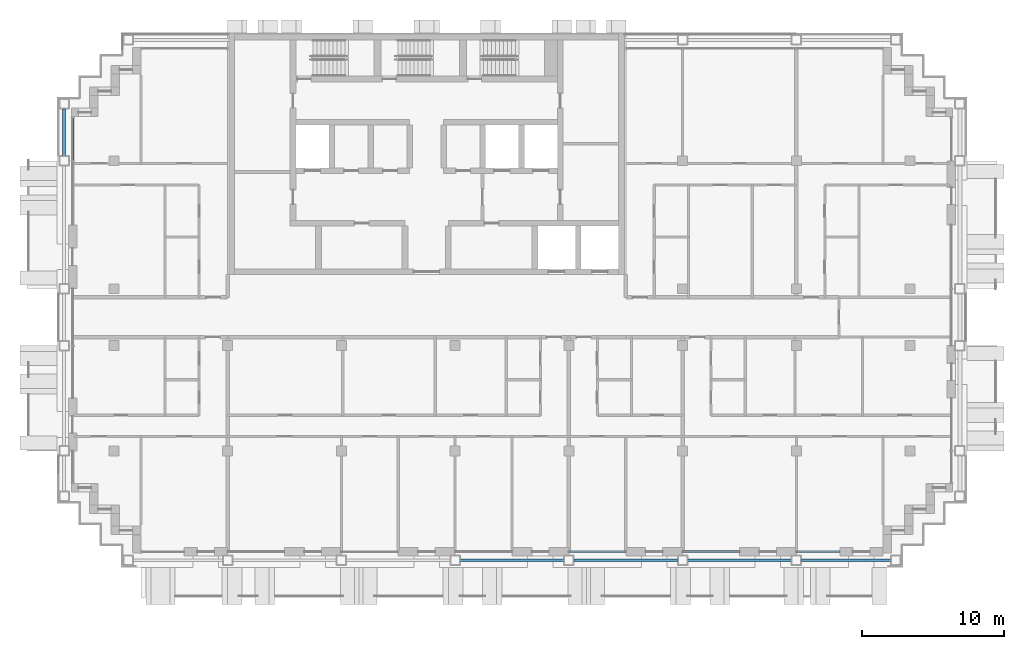
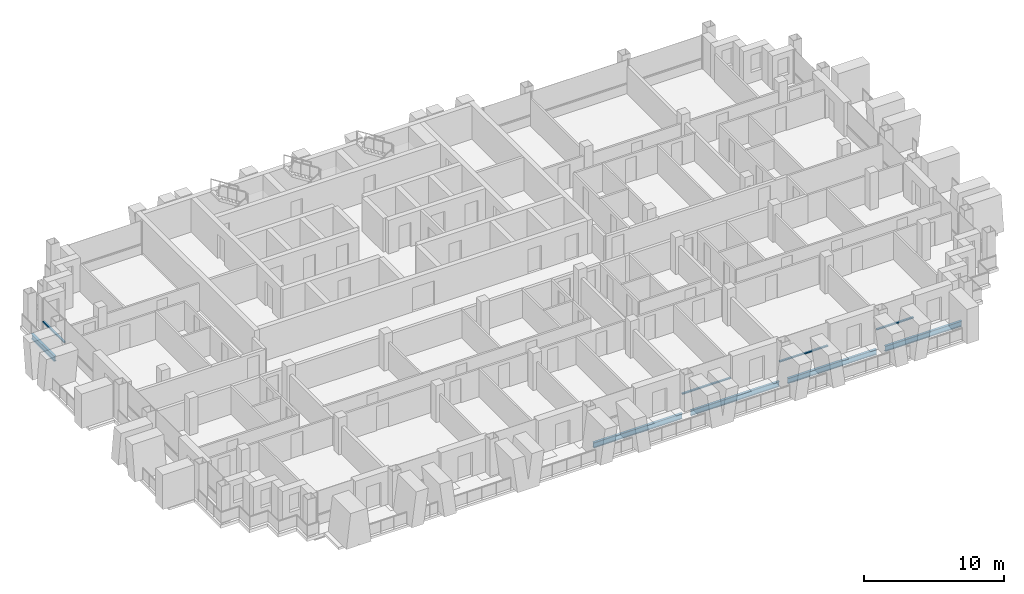
# One storey, part 3 of 16: 5 beams, 4 members, 4 elements without a shape of their own.
"""IFC4 building model written with IfcOpenShell, lengths in metres."""

import ifcopenshell
import ifcopenshell.guid

model = None  # the IFC model being written
_history = None  # IfcOwnerHistory: only IFC2X3 demands one
_inside = {}  # id of a spatial element -> (the spatial element, [elements in it])
_under = {}  # id of a project, library or spatial element -> (it, [spatial elements below it])
_declared = {}  # id of a project -> (the project, [libraries it declares])
_typed = {}  # id of a type object -> (the type object, [elements of that type])
_made_of = {}  # id of a material, layer set ... -> (it, [elements and type objects made of it])


def new_model(schema):
    """Start an empty IFC model of exactly this schema.

    Asked for "IFC4X3", IfcOpenShell would pick the latest addendum, in which some entities
    have other attributes; the version numbers below select the first issue.
    IFC2X3 requires an IfcOwnerHistory on every rooted entity: one is made here for all.
    """
    global model, _history
    if schema == "IFC4X3":
        model = ifcopenshell.file(schema_version=(4, 3, 0, 0))
    else:
        model = ifcopenshell.file(schema=schema)
    _inside.clear()
    _under.clear()
    _declared.clear()
    _typed.clear()
    _made_of.clear()
    _history = None
    if model.schema == "IFC2X3":
        org = make("IfcOrganization", Name="unknown")
        user = make(
            "IfcPersonAndOrganization",
            ThePerson=make("IfcPerson", FamilyName="unknown"),
            TheOrganization=org,
        )
        app = make(
            "IfcApplication",
            ApplicationDeveloper=org,
            Version="unknown",
            ApplicationFullName="unknown",
            ApplicationIdentifier="unknown",
        )
        _history = make(
            "IfcOwnerHistory",
            OwningUser=user,
            OwningApplication=app,
            ChangeAction="ADDED",
            CreationDate=0,
        )
    return model


def make(cls, **values):
    """One entity of the class cls with the attributes given. An attribute that is None is left unset."""
    return model.create_entity(
        cls, **{name: value for name, value in values.items() if value is not None}
    )


def rooted(cls, **values):
    """An entity with a GlobalId (a new one), such as an element, a storey or a relation."""
    return make(cls, GlobalId=ifcopenshell.guid.new(), OwnerHistory=_history, **values)


def si_unit(unit_type, name, prefix=None):
    """IfcSIUnit, for example si_unit("LENGTHUNIT", "METRE", prefix="MILLI")."""
    return make("IfcSIUnit", UnitType=unit_type, Prefix=prefix, Name=name)


def assignment(units):
    """IfcUnitAssignment: the units of a project."""
    return None if units is None else make("IfcUnitAssignment", Units=units)


def point(xyz):
    """IfcCartesianPoint."""
    return None if xyz is None else make("IfcCartesianPoint", Coordinates=xyz)


def direction(xyz):
    """IfcDirection."""
    return None if xyz is None else make("IfcDirection", DirectionRatios=xyz)


def frame(location, z_axis=None, x_axis=None):
    """IfcAxis2Placement3D, a coordinate frame: its origin and axes. An axis left out is left unset."""
    return make(
        "IfcAxis2Placement3D",
        Location=point(location),
        Axis=direction(z_axis),
        RefDirection=direction(x_axis),
    )


def frame_2d(location, x_axis=None):
    """IfcAxis2Placement2D, a coordinate frame in the plane: its origin and x axis."""
    return make(
        "IfcAxis2Placement2D", Location=point(location), RefDirection=direction(x_axis)
    )


def origin():
    """The frame at (0, 0, 0) with its axes left unset."""
    return frame((0.0, 0.0, 0.0))


def origin_2d():
    """The frame at (0, 0) in the plane with its x axis left unset."""
    return frame_2d((0.0, 0.0))


def place(relative_to, where):
    """IfcLocalPlacement: puts the frame where relative to a parent placement (None: the world)."""
    return make(
        "IfcLocalPlacement", PlacementRelTo=relative_to, RelativePlacement=where
    )


def context(
    kind, dimensions, precision=None, world=None, true_north=None, identifier=None
):
    """IfcGeometricRepresentationContext, for example the 3D "Model" context."""
    return make(
        "IfcGeometricRepresentationContext",
        ContextIdentifier=identifier,
        ContextType=kind,
        CoordinateSpaceDimension=dimensions,
        Precision=precision,
        WorldCoordinateSystem=world,
        TrueNorth=true_north,
    )


def subcontext(parent, identifier, kind, view, scale=None):
    """IfcGeometricRepresentationSubContext, for example "Body" below "Model"."""
    return make(
        "IfcGeometricRepresentationSubContext",
        ContextIdentifier=identifier,
        ContextType=kind,
        ParentContext=parent,
        TargetScale=scale,
        TargetView=view,
    )


def project(units=None, contexts=None):
    """IfcProject with its units and contexts."""
    return rooted(
        "IfcProject",
        Name="project",
        RepresentationContexts=contexts,
        UnitsInContext=assignment(units),
    )


def spatial(cls, under=None, at=None, **own):
    """A site, building, storey or space (cls), placed at a placement, below another one or the project."""
    s = rooted(cls, ObjectPlacement=at, **own)
    if under is not None:
        _under.setdefault(under.id(), (under, []))[1].append(s)
    return s


def profile(cls, at=None, kind="AREA", **sizes):
    """A parametric profile (cls). Its sizes go by their IFC names, for example OverallWidth=200.0."""
    return make(cls, ProfileType=kind, Position=at, **sizes)


def rectangle(**sizes):
    """IfcRectangleProfileDef."""
    return profile("IfcRectangleProfileDef", **sizes)


def i_section(**sizes):
    """IfcIShapeProfileDef."""
    return profile("IfcIShapeProfileDef", **sizes)


def extrude(swept, where, along, depth):
    """IfcExtrudedAreaSolid: the profile swept, set in the frame where, extruded along a direction by depth."""
    return make(
        "IfcExtrudedAreaSolid",
        SweptArea=swept,
        Position=where,
        ExtrudedDirection=direction(along),
        Depth=depth,
    )


def shape(context_of_items, identifier, shape_type, items):
    """IfcShapeRepresentation: the items that make up one representation, for example the "Body"."""
    return make(
        "IfcShapeRepresentation",
        ContextOfItems=context_of_items,
        RepresentationIdentifier=identifier,
        RepresentationType=shape_type,
        Items=items,
    )


def material(Name=None, Category=None):
    """IfcMaterial."""
    return make("IfcMaterial", Name=Name, Category=Category)


def material_profile(
    of_material, cross_section, Name=None, Category=None, Priority=None
):
    """IfcMaterialProfile: a cross section and its material."""
    return make(
        "IfcMaterialProfile",
        Name=Name,
        Material=of_material,
        Profile=cross_section,
        Priority=Priority,
        Category=Category,
    )


def profile_set(profiles, Name=None, composite=None):
    """IfcMaterialProfileSet."""
    return make(
        "IfcMaterialProfileSet",
        Name=Name,
        MaterialProfiles=profiles,
        CompositeProfile=composite,
    )


def made_of(thing, what):
    """Note that an element or type object is made of a material, layer set ...; save() writes the relation."""
    if what is not None:
        _made_of.setdefault(what.id(), (what, []))[1].append(thing)
    return thing


def type_object(cls, material=None, **own):
    """A type object (cls), such as IfcWallType, which elements share."""
    return made_of(rooted(cls, **own), material)


def element(
    cls,
    number,
    at=None,
    inside=None,
    cuts=None,
    type_object=None,
    material=None,
    context=None,
    identifier="Body",
    shape_type=None,
    held_by="IfcProductDefinitionShape",
    body=None,
    shapes=None,
    **own,
):
    """One element of the class cls, such as IfcWall. Its Tag is "e" and its number.

    at: its placement. inside: the storey or other place that contains it. cuts: it is an
    opening in that element (IfcRelVoidsElement). A single representation is given by context,
    identifier, shape_type and body (its items); several are given by shapes. held_by: the class
    of the entity that holds the representations. save() writes the other relations.
    """
    e = rooted(cls, Tag="e%d" % number, ObjectPlacement=at, **own)
    if body is not None:
        shapes = [shape(context, identifier, shape_type, body)]
    if shapes is not None:
        e.Representation = make(held_by, Representations=shapes)
    if inside is not None:
        _inside.setdefault(inside.id(), (inside, []))[1].append(e)
    if cuts is not None:
        rooted(
            "IfcRelVoidsElement", RelatingBuildingElement=cuts, RelatedOpeningElement=e
        )
    if type_object is not None:
        _typed.setdefault(type_object.id(), (type_object, []))[1].append(e)
    return made_of(e, material)


def aggregate(whole, parts):
    """IfcRelAggregates: a whole, such as a stair, and the parts it consists of."""
    return rooted("IfcRelAggregates", RelatingObject=whole, RelatedObjects=parts)


def save(model, path):
    """Write the relations noted so far, then the file.

    IfcRelAggregates (storeys below a building ...), IfcRelContainedInSpatialStructure (elements
    in a storey), IfcRelDefinesByType, IfcRelAssociatesMaterial and IfcRelDeclares: one each for
    every whole, place, type object, material and project.
    """
    for whole, parts in _under.values():
        aggregate(whole, parts)
    for where, things in _inside.values():
        rooted(
            "IfcRelContainedInSpatialStructure",
            RelatedElements=things,
            RelatingStructure=where,
        )
    for kind, things in _typed.values():
        rooted("IfcRelDefinesByType", RelatedObjects=things, RelatingType=kind)
    for what, things in _made_of.values():
        rooted("IfcRelAssociatesMaterial", RelatedObjects=things, RelatingMaterial=what)
    for by, libraries in _declared.values():
        rooted("IfcRelDeclares", RelatingContext=by, RelatedDefinitions=libraries)
    model.write(path)


model = new_model("IFC4")

# Units and contexts
model_context = context("Model", 3, precision=1e-05, world=origin(), true_north=direction((0.0, 1.0)))
body_context = subcontext(model_context, "Body", "Model", "MODEL_VIEW")
ifc_project = project(units=[si_unit("LENGTHUNIT", "METRE"), si_unit("AREAUNIT", "SQUARE_METRE"), si_unit("VOLUMEUNIT", "CUBIC_METRE"), si_unit("PLANEANGLEUNIT", "RADIAN"), si_unit("MASSUNIT", "GRAM", prefix="KILO")], contexts=[model_context])

# Site, building, storey
site_placement = place(None, origin())
site = spatial("IfcSite", under=ifc_project, at=site_placement, CompositionType="ELEMENT")
building_placement = place(site_placement, origin())
building = spatial("IfcBuilding", under=site, at=building_placement, Name="Vidyagriha Tower", CompositionType="ELEMENT")
storey_placement = place(building_placement, frame((0.0, 0.0, 184.5)))
storey = spatial("IfcBuildingStorey", under=building, at=storey_placement, Name="L48", CompositionType="ELEMENT", Elevation=184.5)

# Beams
ifc_material_1 = material(Name="Steel ASTM A992 Grade 50", Category="steel")
ifc_material_profile_1 = material_profile(ifc_material_1, i_section(OverallWidth=0.19189453125, OverallDepth=0.46240234375, WebThickness=0.010498046875, FlangeThickness=0.017578125, at=origin_2d()), Name="W18X60")
ifc_profile_set_1 = profile_set([ifc_material_profile_1], Name="Steel ASTM A992 Grade 50")
beam_type = type_object("IfcBeamType", Name="Edge beam W18X60", PredefinedType="SPANDREL", material=ifc_profile_set_1)
for number, where, z_axis, x_axis, name in (
    (1, (2.35009765625, -17.10009765625, -0.51123046875), (1.0, 0.0, 0.0), (0.0, 1.0, 0.0), "st-beam-L48-S04"),
    (2, (10.35009765625, -17.10009765625, -0.51123046875), (1.0, 0.0, 0.0), (0.0, 1.0, 0.0), "st-beam-L48-S05"),
    (3, (18.35009765625, -17.10009765625, -0.51123046875), (1.0, 0.0, 0.0), (0.0, 1.0, 0.0), "st-beam-L48-S06"),
):
    element("IfcBeam", number, at=place(storey_placement, frame(where, z_axis=z_axis, x_axis=x_axis)), inside=storey, type_object=beam_type, Name=name, PredefinedType="SPANDREL", context=body_context, shape_type="SweptSolid", body=[
        extrude(i_section(OverallWidth=0.19189453125, OverallDepth=0.46240234375, WebThickness=0.010498046875, FlangeThickness=0.017578125, at=origin_2d()), origin(), (0.0, 0.0, 1.0), 7.2998046875),
    ])
beam_1_placement = place(storey_placement, frame((26.35009765625, -17.10009765625, -0.51123046875), z_axis=(1.0, 0.0, 0.0), x_axis=(0.0, 1.0, 0.0)))
element("IfcBeam", 4, at=beam_1_placement, inside=storey, type_object=beam_type, Name="st-beam-L48-S07", PredefinedType="SPANDREL", context=body_context, shape_type="SweptSolid", body=[
    extrude(i_section(OverallWidth=0.19189453125, OverallDepth=0.46240234375, WebThickness=0.010498046875, FlangeThickness=0.017578125, at=origin_2d()), origin(), (0.0, 0.0, 1.0), 6.2998046875),
])
beam_2_placement = place(storey_placement, frame((-25.5, 11.35009765625, -0.51123046875), z_axis=(0.0, 1.0, 0.0), x_axis=(-1.0, 0.0, 0.0)))
element("IfcBeam", 5, at=beam_2_placement, inside=storey, type_object=beam_type, Name="st-beam-L48-W12", PredefinedType="SPANDREL", context=body_context, shape_type="SweptSolid", body=[
    extrude(i_section(OverallWidth=0.19189453125, OverallDepth=0.46240234375, WebThickness=0.010498046875, FlangeThickness=0.017578125, at=origin_2d()), origin(), (0.0, 0.0, 1.0), 3.2998046875),
])

# Curtain wall, member
ifc_material_2 = material(Name="Aluminium and glass curtain wall", Category="aluminium")
curtain_wall_type = type_object("IfcCurtainWallType", Name="Dwelling skin unitised curtain wall", PredefinedType="USERDEFINED", material=ifc_material_2)
curtain_wall_1_placement = place(storey_placement, origin())
curtain_wall_1 = element("IfcCurtainWall", 6, at=curtain_wall_1_placement, inside=storey, type_object=curtain_wall_type, Name="CW1 dwelling skin", ObjectType="UNITISED", PredefinedType="USERDEFINED")
ifc_material_3 = material(Name="Aluminium black anodised", Category="aluminium")
ifc_material_profile_2 = material_profile(ifc_material_3, rectangle(XDim=0.159912109375, YDim=0.10009765625, at=origin_2d()), Name="Transom 100x160 black aluminium")
ifc_profile_set_2 = profile_set([ifc_material_profile_2], Name="Aluminium black anodised")
member_type = type_object("IfcMemberType", Name="Transom 100x160 black aluminium", PredefinedType="USERDEFINED", material=ifc_profile_set_2)
member_1_placement = place(storey_placement, frame((-24.89990234375, 14.030029296875, 0.89990234375), z_axis=(0.0, -1.0, 0.0), x_axis=(1.0, 0.0, 0.0)))
member_1 = element("IfcMember", 7, at=member_1_placement, type_object=member_type, Name="CW1 transom 1.1", ObjectType="TRANSOM", PredefinedType="USERDEFINED", context=body_context, shape_type="SweptSolid", body=[
    extrude(rectangle(XDim=0.159912109375, YDim=0.10009765625, at=origin_2d()), origin(), (0.0, 0.0, 1.0), 2.9951171875),
])
aggregate(curtain_wall_1, [member_1])

curtain_wall_2_placement = place(storey_placement, origin())
curtain_wall_2 = element("IfcCurtainWall", 8, at=curtain_wall_2_placement, inside=storey, type_object=curtain_wall_type, Name="CW1 dwelling skin", ObjectType="UNITISED", PredefinedType="USERDEFINED")
member_2_placement = place(storey_placement, frame((10.0, -16.5, 0.89990234375), z_axis=(1.0, 0.0, 0.0), x_axis=(0.0, 1.0, 0.0)))
member_2 = element("IfcMember", 9, at=member_2_placement, type_object=member_type, Name="CW1 transom 1.1", ObjectType="TRANSOM", PredefinedType="USERDEFINED", context=body_context, shape_type="SweptSolid", body=[
    extrude(rectangle(XDim=0.159912109375, YDim=0.10009765625, at=origin_2d()), origin(), (0.0, 0.0, 1.0), 4.0),
])
aggregate(curtain_wall_2, [member_2])

curtain_wall_3_placement = place(storey_placement, origin())
curtain_wall_3 = element("IfcCurtainWall", 10, at=curtain_wall_3_placement, inside=storey, type_object=curtain_wall_type, Name="CW1 dwelling skin", ObjectType="UNITISED", PredefinedType="USERDEFINED")
member_3_placement = place(storey_placement, frame((18.0, -16.5, 0.89990234375), z_axis=(1.0, 0.0, 0.0), x_axis=(0.0, 1.0, 0.0)))
member_3 = element("IfcMember", 11, at=member_3_placement, type_object=member_type, Name="CW1 transom 1.1", ObjectType="TRANSOM", PredefinedType="USERDEFINED", context=body_context, shape_type="SweptSolid", body=[
    extrude(rectangle(XDim=0.159912109375, YDim=0.10009765625, at=origin_2d()), origin(), (0.0, 0.0, 1.0), 4.0),
])
aggregate(curtain_wall_3, [member_3])

curtain_wall_4_placement = place(storey_placement, origin())
curtain_wall_4 = element("IfcCurtainWall", 12, at=curtain_wall_4_placement, inside=storey, type_object=curtain_wall_type, Name="CW1 dwelling skin", ObjectType="UNITISED", PredefinedType="USERDEFINED")
member_4_placement = place(storey_placement, frame((26.0, -16.5, 0.89990234375), z_axis=(1.0, 0.0, 0.0), x_axis=(0.0, 1.0, 0.0)))
member_4 = element("IfcMember", 13, at=member_4_placement, type_object=member_type, Name="CW1 transom 1.1", ObjectType="TRANSOM", PredefinedType="USERDEFINED", context=body_context, shape_type="SweptSolid", body=[
    extrude(rectangle(XDim=0.159912109375, YDim=0.10009765625, at=origin_2d()), origin(), (0.0, 0.0, 1.0), 3.050048828125),
])
aggregate(curtain_wall_4, [member_4])

save(model, "model.ifc")
